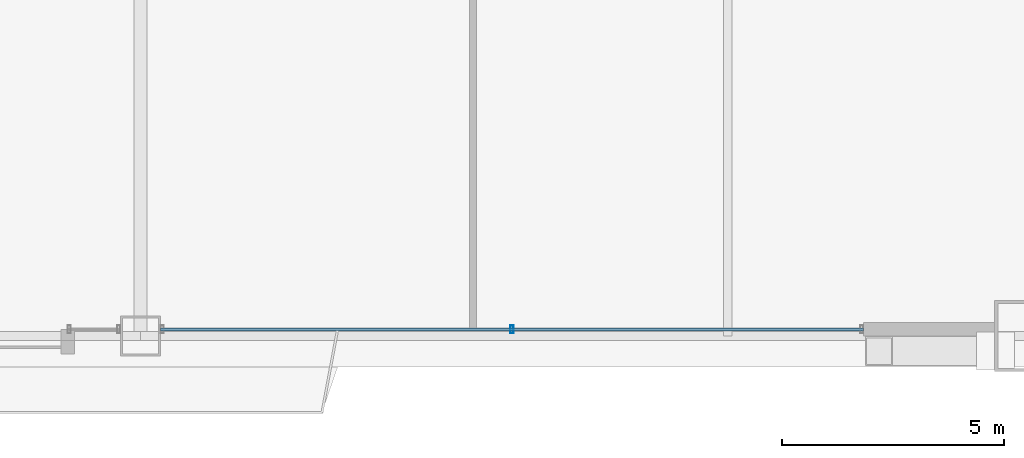
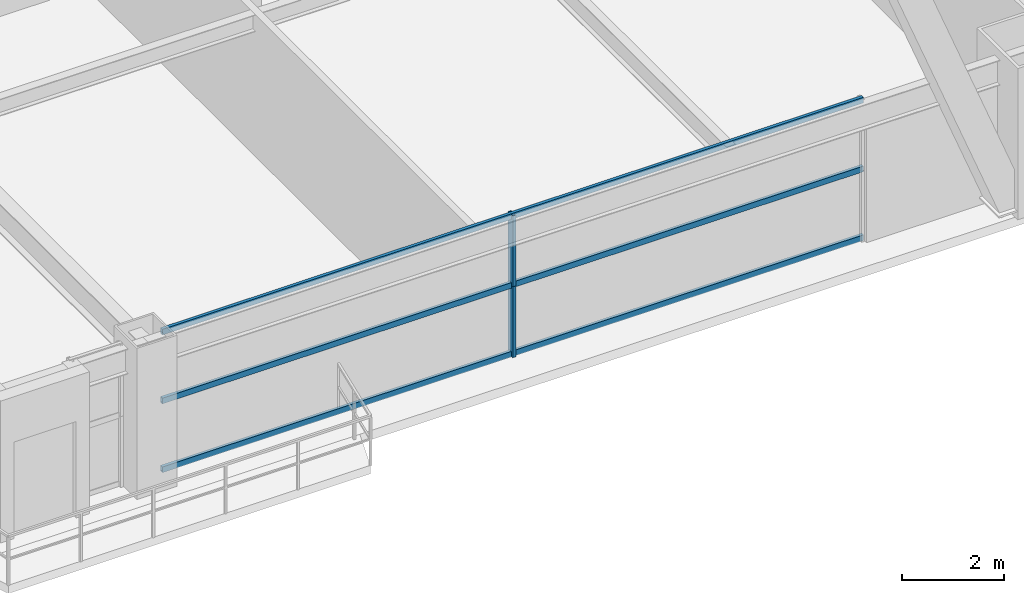
# One storey, part 14 of 43: 5 members, 1 element without a shape of its own.
"""IFC4 building model written with IfcOpenShell, lengths in metres."""

from ifc_helpers import new_model, si_unit, direction, frame, origin, origin_2d, place, context, subcontext, project, spatial, hollow_rectangle, extrude, source, transform, mapped, material, layer, layer_set, material_profile, profile_set, type_object, element, aggregate, save


model = new_model("IFC4")

# Units and contexts
model_context = context("Model", 3, precision=1e-05, world=origin(), true_north=direction((0.0, 1.0)))
body_context = subcontext(model_context, "Body", "Model", "MODEL_VIEW")
ifc_project = project(units=[si_unit("LENGTHUNIT", "METRE"), si_unit("AREAUNIT", "SQUARE_METRE"), si_unit("VOLUMEUNIT", "CUBIC_METRE"), si_unit("PLANEANGLEUNIT", "RADIAN"), si_unit("MASSUNIT", "GRAM", prefix="KILO"), si_unit("THERMODYNAMICTEMPERATUREUNIT", "KELVIN"), si_unit("POWERUNIT", "WATT")], contexts=[model_context])

# Site, building, storey
site_placement = place(None, origin())
site = spatial("IfcSite", under=ifc_project, at=site_placement, CompositionType="ELEMENT")
building_placement = place(site_placement, origin())
building = spatial("IfcBuilding", under=site, at=building_placement, Name="Yuzanri Waterfront Tower", CompositionType="ELEMENT")
storey_placement = place(building_placement, frame((0.0, 0.0, 108.199951171875)))
storey = spatial("IfcBuildingStorey", under=building, at=storey_placement, Name="L28", CompositionType="ELEMENT", Elevation=108.199951171875)

# Curtain wall, members
ifc_material_1 = material(Name="Anodized Architectural Bronze", Category="metal")
ifc_layer = layer(ifc_material_1, 0.159912109375)
ifc_layer_set = layer_set([ifc_layer], Name="Anodized Architectural Bronze")
curtain_wall_type = type_object("IfcCurtainWallType", Name="Anodized Bronze Hotel Upper-Tier Solar-Control Unitized Curtain Wall 7800", PredefinedType="NOTDEFINED", material=ifc_layer_set)
curtain_wall_placement = place(storey_placement, origin())
curtain_wall = element("IfcCurtainWall", 1, at=curtain_wall_placement, inside=storey, type_object=curtain_wall_type, Name="L28 Curtain Wall CW-L28-SR", PredefinedType="NOTDEFINED")
ifc_material_2 = material(Name="Anodized Architectural Bronze", Category="metal")
ifc_material_profile_1 = material_profile(ifc_material_2, hollow_rectangle(XDim=0.070068359375, YDim=0.179931640625, WallThickness=0.00390625, at=origin_2d()), Name="CWM 70x180")
ifc_profile_set_1 = profile_set([ifc_material_profile_1], Name="Anodized Architectural Bronze")
member_type_1 = type_object("IfcMemberType", Name="Anodized Bronze Standard Curtain-Wall Mullion 70x180", PredefinedType="MULLION", material=ifc_profile_set_1)
shared_shape_1 = source(origin(), body_context, "Body", "SweptSolid", [
    extrude(hollow_rectangle(XDim=0.070068359375, YDim=0.179931640625, WallThickness=0.00390625, at=origin_2d()), origin(), (0.0, 0.0, 1.0), 1.68798828125),
])
member_1_placement = place(storey_placement, frame((45.35009765625, 2.35009765625, 0.0), z_axis=(0.0, 0.0, 1.0), x_axis=(1.0, 0.0, 0.0)))
member_1 = element("IfcMember", 2, at=member_1_placement, type_object=member_type_1, Name="CW-L28-SR Lower Mullion 01", PredefinedType="MULLION", context=body_context, shape_type="MappedRepresentation", body=[
    mapped(shared_shape_1, transform((0.0, 0.0, 0.0), scale=1.0)),
])
member_2_placement = place(storey_placement, frame((45.35009765625, 2.35009765625, 1.692138671875), z_axis=(0.0, 0.0, 1.0), x_axis=(1.0, 0.0, 0.0)))
member_2 = element("IfcMember", 3, at=member_2_placement, type_object=member_type_1, Name="CW-L28-SR Upper Mullion 01", PredefinedType="MULLION", context=body_context, shape_type="MappedRepresentation", body=[
    mapped(shared_shape_1, transform((0.0, 0.0, 0.0), scale=1.0)),
])
ifc_material_3 = material(Name="Anodized Architectural Bronze", Category="metal")
ifc_material_profile_2 = material_profile(ifc_material_3, hollow_rectangle(XDim=0.070068359375, YDim=0.135009765625, WallThickness=0.00341796875, at=origin_2d()), Name="CWT 70x135")
ifc_profile_set_2 = profile_set([ifc_material_profile_2], Name="Anodized Architectural Bronze")
member_type_2 = type_object("IfcMemberType", Name="Anodized Bronze Standard Curtain-Wall Transom 70x135", PredefinedType="USERDEFINED", material=ifc_profile_set_2)
shared_shape_2 = source(origin(), body_context, "Body", "SweptSolid", [
    extrude(hollow_rectangle(XDim=0.070068359375, YDim=0.135009765625, WallThickness=0.00341796875, at=origin_2d()), origin(), (0.0, 0.0, 1.0), 15.800048828125),
])
member_3_placement = place(storey_placement, frame((37.449951171875, 2.35009765625, 0.050048828125), z_axis=(1.0, 0.0, 0.0), x_axis=(0.0, 1.0, 0.0)))
member_3 = element("IfcMember", 4, at=member_3_placement, type_object=member_type_2, Name="CW-L28-SR Transom 1", ObjectType="TRANSOM", PredefinedType="USERDEFINED", context=body_context, shape_type="MappedRepresentation", body=[
    mapped(shared_shape_2, transform((0.0, 0.0, 0.0), scale=1.0)),
])
member_4_placement = place(storey_placement, frame((37.449951171875, 2.35009765625, 1.68994140625), z_axis=(1.0, 0.0, 0.0), x_axis=(0.0, 1.0, 0.0)))
member_4 = element("IfcMember", 5, at=member_4_placement, type_object=member_type_2, Name="CW-L28-SR Transom 2", ObjectType="TRANSOM", PredefinedType="USERDEFINED", context=body_context, shape_type="MappedRepresentation", body=[
    mapped(shared_shape_2, transform((0.0, 0.0, 0.0), scale=1.0)),
])
member_5_placement = place(storey_placement, frame((37.449951171875, 2.35009765625, 3.330078125), z_axis=(1.0, 0.0, 0.0), x_axis=(0.0, 1.0, 0.0)))
member_5 = element("IfcMember", 6, at=member_5_placement, type_object=member_type_2, Name="CW-L28-SR Transom 3", ObjectType="TRANSOM", PredefinedType="USERDEFINED", context=body_context, shape_type="MappedRepresentation", body=[
    mapped(shared_shape_2, transform((0.0, 0.0, 0.0), scale=1.0)),
])
aggregate(curtain_wall, [member_1, member_2, member_3, member_4, member_5])

save(model, "model.ifc")
